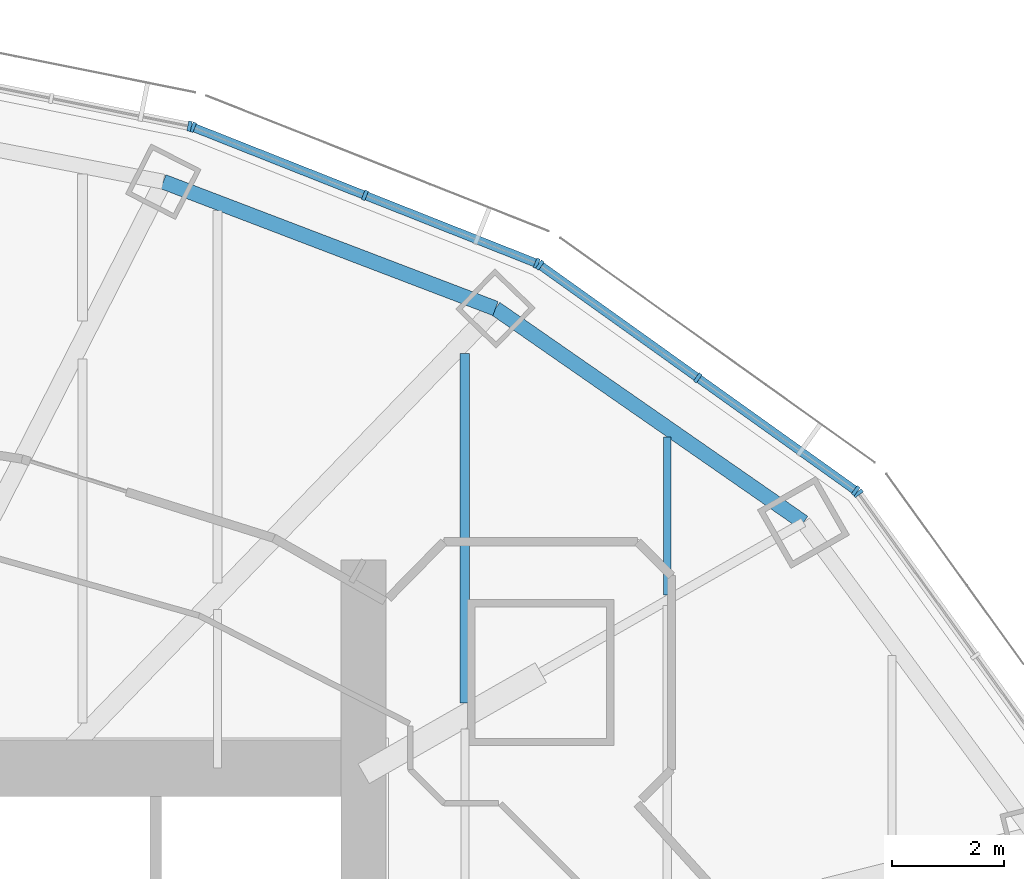
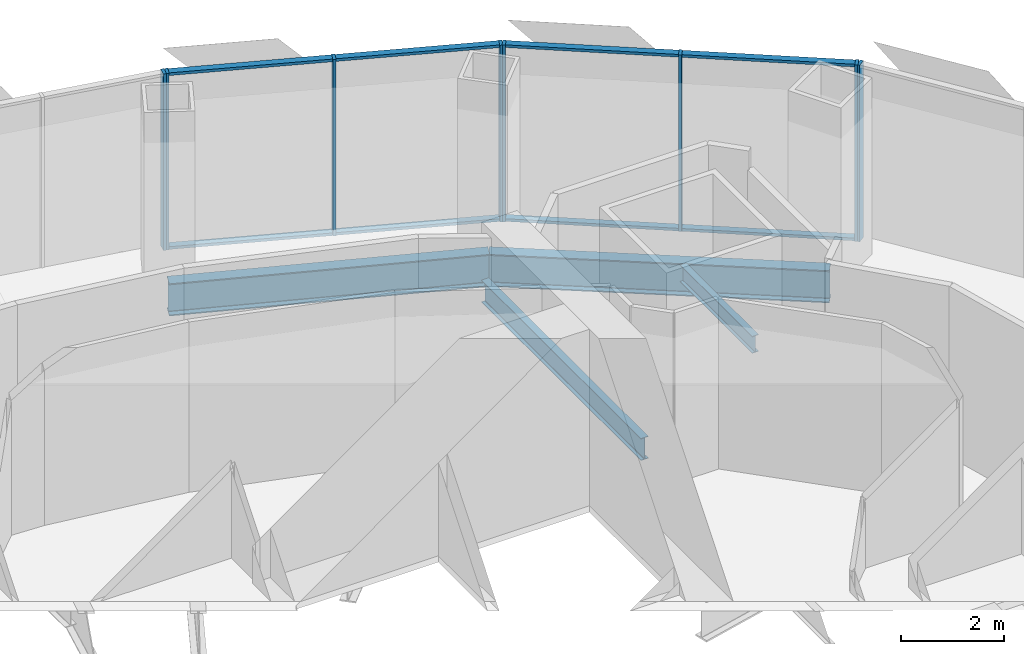
# One storey, part 9 of 18: 16 members, 4 beams, 4 elements without a shape of their own.
"""IFC4 building model written with IfcOpenShell, lengths in metres."""

from ifc_helpers import new_model, si_unit, direction, frame, origin, origin_2d, place, context, subcontext, project, spatial, rectangle, i_section, extrude, material, material_profile, profile_set, type_object, element, aggregate, save


model = new_model("IFC4")

# Units and contexts
model_context = context("Model", 3, precision=1e-05, world=origin(), true_north=direction((0.0, 1.0)))
body_context = subcontext(model_context, "Body", "Model", "MODEL_VIEW")
ifc_project = project(units=[si_unit("LENGTHUNIT", "METRE"), si_unit("AREAUNIT", "SQUARE_METRE"), si_unit("VOLUMEUNIT", "CUBIC_METRE"), si_unit("PLANEANGLEUNIT", "RADIAN"), si_unit("MASSUNIT", "GRAM", prefix="KILO")], contexts=[model_context])

# Site, building, storey
site_placement = place(None, origin())
site = spatial("IfcSite", under=ifc_project, at=site_placement, CompositionType="ELEMENT")
building_placement = place(site_placement, origin())
building = spatial("IfcBuilding", under=site, at=building_placement, Name="Lantaw Convention Tower", CompositionType="ELEMENT")
storey_placement = place(building_placement, frame((0.0, 0.0, 257.800048828125)))
storey = spatial("IfcBuildingStorey", under=building, at=storey_placement, Name="L60", CompositionType="ELEMENT", Elevation=257.800048828125)

# Beams
ifc_material_1 = material(Name="Steel ASTM A992", Category="steel")
ifc_material_profile_1 = material_profile(ifc_material_1, i_section(OverallWidth=0.2666015625, OverallDepth=0.76953125, WebThickness=0.015625, FlangeThickness=0.025390625, FilletRadius=0.0126953125, at=origin_2d()), Name="W30X132")
ifc_profile_set_1 = profile_set([ifc_material_profile_1], Name="Steel ASTM A992")
beam_type_1 = type_object("IfcBeamType", Name="Beam E W30X132", PredefinedType="SPANDREL", material=ifc_profile_set_1)
beam_1_placement = place(storey_placement, frame((20.423095703125, 11.67041015625, -0.534912109375), z_axis=(-0.82135329406, 0.570419815869, 0.0), x_axis=(-0.570419815869, -0.82135329406, 0.0)))
element("IfcBeam", 1, at=beam_1_placement, inside=storey, type_object=beam_type_1, Name="Edge beam 3", PredefinedType="SPANDREL", context=body_context, shape_type="SweptSolid", body=[
    extrude(i_section(OverallWidth=0.2666015625, OverallDepth=0.76953125, WebThickness=0.015625, FlangeThickness=0.025390625, FilletRadius=0.0126953125, at=origin_2d()), origin(), (0.0, 0.0, 1.0), 6.67041015625),
])
beam_2_placement = place(storey_placement, frame((14.9443359375, 15.475341796875, -0.534912109375), z_axis=(-0.934234988, 0.356658081637, 0.0), x_axis=(-0.356658081637, -0.934234988, 0.0)))
element("IfcBeam", 2, at=beam_2_placement, inside=storey, type_object=beam_type_1, Name="Edge beam 4", PredefinedType="SPANDREL", context=body_context, shape_type="SweptSolid", body=[
    extrude(i_section(OverallWidth=0.2666015625, OverallDepth=0.76953125, WebThickness=0.015625, FlangeThickness=0.025390625, FilletRadius=0.0126953125, at=origin_2d()), origin(), (0.0, 0.0, 1.0), 6.32568359375),
])
ifc_material_profile_2 = material_profile(ifc_material_1, i_section(OverallWidth=0.140380859375, OverallDepth=0.40380859375, WebThickness=0.007080078125, FlangeThickness=0.01123046875, FilletRadius=0.01025390625, at=origin_2d()), Name="W16X31")
ifc_profile_set_2 = profile_set([ifc_material_profile_2], Name="Steel ASTM A992")
beam_type_2 = type_object("IfcBeamType", Name="Beam J W16X31", PredefinedType="JOIST", material=ifc_profile_set_2)
beam_3_placement = place(storey_placement, frame((18.0, 10.380859375, -0.35205078125), z_axis=(0.0, 1.0, 0.0), x_axis=(-1.0, 0.0, 0.0)))
element("IfcBeam", 3, at=beam_3_placement, inside=storey, type_object=beam_type_2, Name="Floor joist", PredefinedType="JOIST", context=body_context, shape_type="SweptSolid", body=[
    extrude(i_section(OverallWidth=0.140380859375, OverallDepth=0.40380859375, WebThickness=0.007080078125, FlangeThickness=0.01123046875, FilletRadius=0.01025390625, at=origin_2d()), origin(), (0.0, 0.0, 1.0), 2.81005859375),
])
ifc_material_profile_3 = material_profile(ifc_material_1, i_section(OverallWidth=0.1650390625, OverallDepth=0.52587890625, WebThickness=0.0087890625, FlangeThickness=0.011474609375, FilletRadius=0.0126953125, at=origin_2d()), Name="W21X44")
ifc_profile_set_3 = profile_set([ifc_material_profile_3], Name="Steel ASTM A992")
beam_type_3 = type_object("IfcBeamType", Name="Beam J W21X44", PredefinedType="JOIST", material=ifc_profile_set_3)
beam_4_placement = place(storey_placement, frame((14.39990234375, 8.461181640625, -0.412841796875), z_axis=(0.0, 1.0, 0.0), x_axis=(-1.0, 0.0, 0.0)))
element("IfcBeam", 4, at=beam_4_placement, inside=storey, type_object=beam_type_3, Name="Floor joist", PredefinedType="JOIST", context=body_context, shape_type="SweptSolid", body=[
    extrude(i_section(OverallWidth=0.1650390625, OverallDepth=0.52587890625, WebThickness=0.0087890625, FlangeThickness=0.011474609375, FilletRadius=0.0126953125, at=origin_2d()), origin(), (0.0, 0.0, 1.0), 6.214599609375),
])

# Curtain wall, member
ifc_material_2 = material(Name="Aluminium framed curtain wall", Category="aluminium")
curtain_wall_type = type_object("IfcCurtainWallType", Name="Office curtain wall high rise, pale aluminium", PredefinedType="USERDEFINED", material=ifc_material_2)
curtain_wall_1_placement = place(storey_placement, origin())
curtain_wall_1 = element("IfcCurtainWall", 5, at=curtain_wall_1_placement, inside=storey, type_object=curtain_wall_type, Name="Office curtain wall high rise, pale aluminium L60", ObjectType="UNITISED CURTAIN WALL", PredefinedType="USERDEFINED")
ifc_material_3 = material(Name="Aluminium 6063-T6", Category="aluminium")
ifc_material_profile_4 = material_profile(ifc_material_3, rectangle(XDim=0.179931640625, YDim=0.06494140625, at=origin_2d()), Name="CW-O2 mullion 65x180")
ifc_profile_set_4 = profile_set([ifc_material_profile_4], Name="Aluminium 6063-T6")
member_type_1 = type_object("IfcMemberType", Name="CW-O2 mullion 65x180", PredefinedType="MULLION", material=ifc_profile_set_4)
member_1_placement = place(storey_placement, frame((21.397216796875, 12.189697265625, -0.150146484375), z_axis=(0.0, 0.0, 1.0), x_axis=(-0.810919559405, -0.585157643865, 0.0)))
member_1 = element("IfcMember", 6, at=member_1_placement, type_object=member_type_1, Name="CW-O2 mullion 3", PredefinedType="MULLION", context=body_context, shape_type="SweptSolid", body=[
    extrude(rectangle(XDim=0.179931640625, YDim=0.06494140625, at=origin_2d()), origin(), (0.0, 0.0, 1.0), 4.2001953125),
])
aggregate(curtain_wall_1, [member_1])

# Curtain wall, members
curtain_wall_2_placement = place(storey_placement, origin())
curtain_wall_2 = element("IfcCurtainWall", 7, at=curtain_wall_2_placement, inside=storey, type_object=curtain_wall_type, Name="Office curtain wall high rise, pale aluminium L60", ObjectType="UNITISED CURTAIN WALL", PredefinedType="USERDEFINED")
member_2_placement = place(storey_placement, frame((21.3515625, 12.23486328125, -0.150146484375), z_axis=(0.0, 0.0, 1.0), x_axis=(-0.581323487281, -0.813672540482, 0.0)))
member_2 = element("IfcMember", 8, at=member_2_placement, type_object=member_type_1, Name="CW-O2 mullion 1", PredefinedType="MULLION", context=body_context, shape_type="SweptSolid", body=[
    extrude(rectangle(XDim=0.179931640625, YDim=0.06494140625, at=origin_2d()), origin(), (0.0, 0.0, 1.0), 4.2001953125),
])
member_3_placement = place(storey_placement, frame((18.543212890625, 14.241455078125, -0.150146484375), z_axis=(0.0, 0.0, 1.0), x_axis=(-0.581323487281, -0.813672540482, 0.0)))
member_3 = element("IfcMember", 9, at=member_3_placement, type_object=member_type_1, Name="CW-O2 mullion 2", PredefinedType="MULLION", context=body_context, shape_type="SweptSolid", body=[
    extrude(rectangle(XDim=0.179931640625, YDim=0.06494140625, at=origin_2d()), origin(), (0.0, 0.0, 1.0), 4.2001953125),
])
member_4_placement = place(storey_placement, frame((15.73486328125, 16.247802734375, -0.150146484375), z_axis=(0.0, 0.0, 1.0), x_axis=(-0.581323487281, -0.813672540482, 0.0)))
member_4 = element("IfcMember", 10, at=member_4_placement, type_object=member_type_1, Name="CW-O2 mullion 3", PredefinedType="MULLION", context=body_context, shape_type="SweptSolid", body=[
    extrude(rectangle(XDim=0.179931640625, YDim=0.06494140625, at=origin_2d()), origin(), (0.0, 0.0, 1.0), 4.2001953125),
])

curtain_wall_3_placement = place(storey_placement, origin())
curtain_wall_3 = element("IfcCurtainWall", 11, at=curtain_wall_3_placement, inside=storey, type_object=curtain_wall_type, Name="Office curtain wall high rise, pale aluminium L60", ObjectType="UNITISED CURTAIN WALL", PredefinedType="USERDEFINED")
member_5_placement = place(storey_placement, frame((15.67822265625, 16.278564453125, -0.150146484375), z_axis=(0.0, 0.0, 1.0), x_axis=(-0.368162315252, -0.929761533743, 0.0)))
member_5 = element("IfcMember", 12, at=member_5_placement, type_object=member_type_1, Name="CW-O2 mullion 1", PredefinedType="MULLION", context=body_context, shape_type="SweptSolid", body=[
    extrude(rectangle(XDim=0.179931640625, YDim=0.06494140625, at=origin_2d()), origin(), (0.0, 0.0, 1.0), 4.2001953125),
])
member_6_placement = place(storey_placement, frame((12.621337890625, 17.4892578125, -0.150146484375), z_axis=(0.0, 0.0, 1.0), x_axis=(-0.368162315252, -0.929761533743, 0.0)))
member_6 = element("IfcMember", 13, at=member_6_placement, type_object=member_type_1, Name="CW-O2 mullion 2", PredefinedType="MULLION", context=body_context, shape_type="SweptSolid", body=[
    extrude(rectangle(XDim=0.179931640625, YDim=0.06494140625, at=origin_2d()), origin(), (0.0, 0.0, 1.0), 4.2001953125),
])
member_7_placement = place(storey_placement, frame((9.564208984375, 18.69970703125, -0.150146484375), z_axis=(0.0, 0.0, 1.0), x_axis=(-0.368162315252, -0.929761533743, 0.0)))
member_7 = element("IfcMember", 14, at=member_7_placement, type_object=member_type_1, Name="CW-O2 mullion 3", PredefinedType="MULLION", context=body_context, shape_type="SweptSolid", body=[
    extrude(rectangle(XDim=0.179931640625, YDim=0.06494140625, at=origin_2d()), origin(), (0.0, 0.0, 1.0), 4.2001953125),
])

# Curtain wall, member
curtain_wall_4_placement = place(storey_placement, origin())
curtain_wall_4 = element("IfcCurtainWall", 15, at=curtain_wall_4_placement, inside=storey, type_object=curtain_wall_type, Name="Office curtain wall high rise, pale aluminium L60", ObjectType="UNITISED CURTAIN WALL", PredefinedType="USERDEFINED")
member_8_placement = place(storey_placement, frame((9.502197265625, 18.718017578125, -0.150146484375), z_axis=(0.0, 0.0, 1.0), x_axis=(-0.197183095987, -0.980366679695, 0.0)))
member_8 = element("IfcMember", 16, at=member_8_placement, type_object=member_type_1, Name="CW-O2 mullion 1", PredefinedType="MULLION", context=body_context, shape_type="SweptSolid", body=[
    extrude(rectangle(XDim=0.179931640625, YDim=0.06494140625, at=origin_2d()), origin(), (0.0, 0.0, 1.0), 4.2001953125),
])
aggregate(curtain_wall_4, [member_8])

# Member
ifc_material_profile_5 = material_profile(ifc_material_3, rectangle(XDim=0.14990234375, YDim=0.06494140625, at=origin_2d()), Name="CW-O2 transom 65x150")
ifc_profile_set_5 = profile_set([ifc_material_profile_5], Name="Aluminium 6063-T6")
member_type_2 = type_object("IfcMemberType", Name="CW-O2 transom 65x150", PredefinedType="USERDEFINED", material=ifc_profile_set_5)
member_9_placement = place(storey_placement, frame((21.3251953125, 12.25390625, -0.117431640625), z_axis=(-0.813679882592, 0.581313210468, 0.0), x_axis=(-0.581313210468, -0.813679882592, 0.0)))
member_9 = element("IfcMember", 17, at=member_9_placement, type_object=member_type_2, Name="CW-O2 transom 1.1", ObjectType="TRANSOM", PredefinedType="USERDEFINED", context=body_context, shape_type="SweptSolid", body=[
    extrude(rectangle(XDim=0.14990234375, YDim=0.06494140625, at=origin_2d()), origin(), (0.0, 0.0, 1.0), 3.38623046875),
])

member_10_placement = place(storey_placement, frame((21.3251953125, 12.25390625, 4.017333984375), z_axis=(-0.813679882592, 0.581313210468, 0.0), x_axis=(-0.581313210468, -0.813679882592, 0.0)))
member_10 = element("IfcMember", 18, at=member_10_placement, type_object=member_type_2, Name="CW-O2 transom 1.2", ObjectType="TRANSOM", PredefinedType="USERDEFINED", context=body_context, shape_type="SweptSolid", body=[
    extrude(rectangle(XDim=0.14990234375, YDim=0.06494140625, at=origin_2d()), origin(), (0.0, 0.0, 1.0), 3.38623046875),
])

member_11_placement = place(storey_placement, frame((18.516845703125, 14.26025390625, -0.117431640625), z_axis=(-0.813645780821, 0.581360940683, 0.0), x_axis=(-0.581360940683, -0.813645780821, 0.0)))
member_11 = element("IfcMember", 19, at=member_11_placement, type_object=member_type_2, Name="CW-O2 transom 2.1", ObjectType="TRANSOM", PredefinedType="USERDEFINED", context=body_context, shape_type="SweptSolid", body=[
    extrude(rectangle(XDim=0.14990234375, YDim=0.06494140625, at=origin_2d()), origin(), (0.0, 0.0, 1.0), 3.386474609375),
])

member_12_placement = place(storey_placement, frame((18.516845703125, 14.26025390625, 4.017333984375), z_axis=(-0.813645780821, 0.581360940683, 0.0), x_axis=(-0.581360940683, -0.813645780821, 0.0)))
member_12 = element("IfcMember", 20, at=member_12_placement, type_object=member_type_2, Name="CW-O2 transom 2.2", ObjectType="TRANSOM", PredefinedType="USERDEFINED", context=body_context, shape_type="SweptSolid", body=[
    extrude(rectangle(XDim=0.14990234375, YDim=0.06494140625, at=origin_2d()), origin(), (0.0, 0.0, 1.0), 3.386474609375),
])

aggregate(curtain_wall_2, [member_2, member_3, member_4, member_9, member_10, member_11, member_12])

member_13_placement = place(storey_placement, frame((15.648193359375, 16.29052734375, -0.117431640625), z_axis=(-0.929740712354, 0.368214893495, 0.0), x_axis=(-0.368214893495, -0.929740712354, 0.0)))
member_13 = element("IfcMember", 21, at=member_13_placement, type_object=member_type_2, Name="CW-O2 transom 1.1", ObjectType="TRANSOM", PredefinedType="USERDEFINED", context=body_context, shape_type="SweptSolid", body=[
    extrude(rectangle(XDim=0.14990234375, YDim=0.06494140625, at=origin_2d()), origin(), (0.0, 0.0, 1.0), 3.22314453125),
])

member_14_placement = place(storey_placement, frame((15.648193359375, 16.29052734375, 4.017333984375), z_axis=(-0.929740712354, 0.368214893495, 0.0), x_axis=(-0.368214893495, -0.929740712354, 0.0)))
member_14 = element("IfcMember", 22, at=member_14_placement, type_object=member_type_2, Name="CW-O2 transom 1.2", ObjectType="TRANSOM", PredefinedType="USERDEFINED", context=body_context, shape_type="SweptSolid", body=[
    extrude(rectangle(XDim=0.14990234375, YDim=0.06494140625, at=origin_2d()), origin(), (0.0, 0.0, 1.0), 3.22314453125),
])

member_15_placement = place(storey_placement, frame((12.591064453125, 17.501220703125, -0.117431640625), z_axis=(-0.929766642946, 0.368149412149, 0.0), x_axis=(-0.368149412149, -0.929766642946, 0.0)))
member_15 = element("IfcMember", 23, at=member_15_placement, type_object=member_type_2, Name="CW-O2 transom 2.1", ObjectType="TRANSOM", PredefinedType="USERDEFINED", context=body_context, shape_type="SweptSolid", body=[
    extrude(rectangle(XDim=0.14990234375, YDim=0.06494140625, at=origin_2d()), origin(), (0.0, 0.0, 1.0), 3.222900390625),
])

member_16_placement = place(storey_placement, frame((12.591064453125, 17.501220703125, 4.017333984375), z_axis=(-0.929766642946, 0.368149412149, 0.0), x_axis=(-0.368149412149, -0.929766642946, 0.0)))
member_16 = element("IfcMember", 24, at=member_16_placement, type_object=member_type_2, Name="CW-O2 transom 2.2", ObjectType="TRANSOM", PredefinedType="USERDEFINED", context=body_context, shape_type="SweptSolid", body=[
    extrude(rectangle(XDim=0.14990234375, YDim=0.06494140625, at=origin_2d()), origin(), (0.0, 0.0, 1.0), 3.222900390625),
])

aggregate(curtain_wall_3, [member_5, member_6, member_7, member_13, member_14, member_15, member_16])

save(model, "model.ifc")
